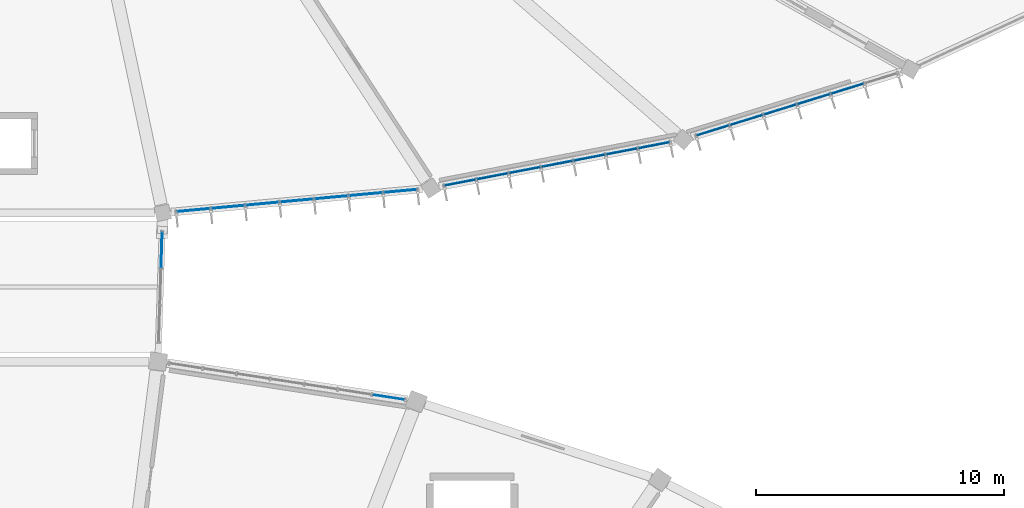
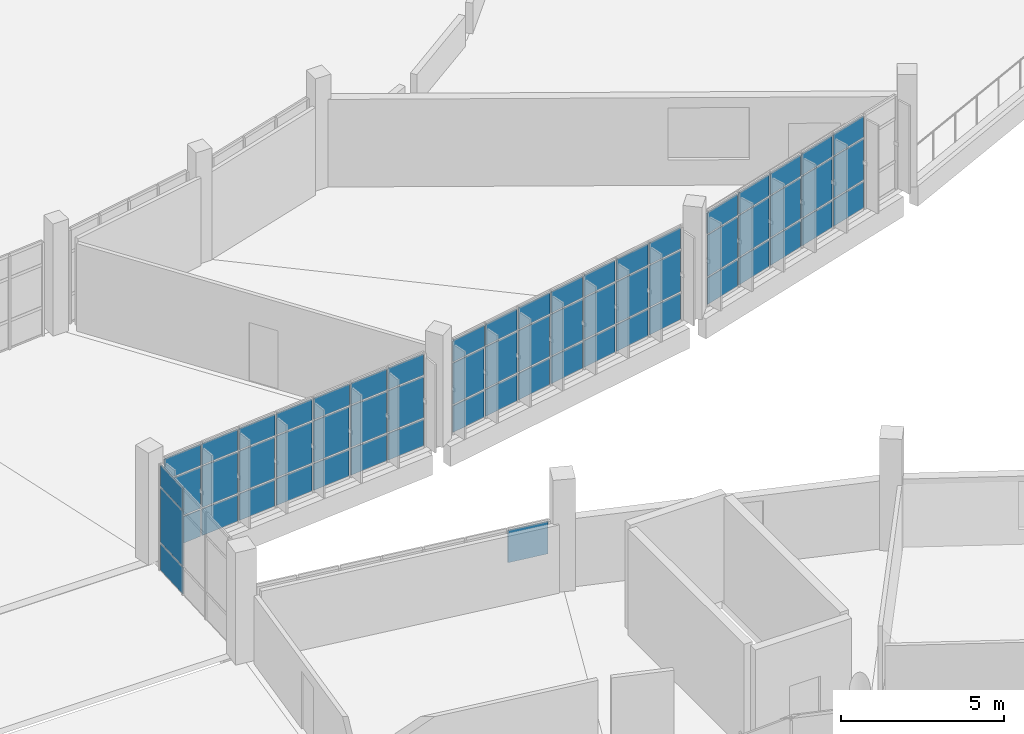
# One storey, part 83 of 142: 61 plates, 5 elements without a shape of their own.
"""IFC4 building model written with IfcOpenShell, lengths in metres."""

from ifc_helpers import new_model, si_unit, direction, frame, origin, origin_2d, place, context, subcontext, project, spatial, rectangle, extrude, material, layer, layer_set, type_object, element, aggregate, save


model = new_model("IFC4")

# Units and contexts
model_context = context("Model", 3, precision=1e-05, world=origin(), true_north=direction((0.0, 1.0)))
body_context = subcontext(model_context, "Body", "Model", "MODEL_VIEW")
ifc_project = project(units=[si_unit("LENGTHUNIT", "METRE"), si_unit("AREAUNIT", "SQUARE_METRE"), si_unit("VOLUMEUNIT", "CUBIC_METRE"), si_unit("PLANEANGLEUNIT", "RADIAN"), si_unit("MASSUNIT", "GRAM", prefix="KILO")], contexts=[model_context])

# Site, building, storey
site_placement = place(None, origin())
site = spatial("IfcSite", under=ifc_project, at=site_placement, CompositionType="ELEMENT")
building_placement = place(site_placement, origin())
building = spatial("IfcBuilding", under=site, at=building_placement, Name="Corvandel Quay Wholesale Market", CompositionType="ELEMENT")
storey_placement = place(building_placement, frame((0.0, 0.0, 10.800048828125)))
storey = spatial("IfcBuildingStorey", under=building, at=storey_placement, Name="L02", CompositionType="ELEMENT", Elevation=10.800048828125)

# Curtain wall, plates
ifc_material_1 = material(Name="Bronze anodised aluminium and low-E insulated glazing", Category="aluminium")
ifc_layer_1 = layer(ifc_material_1, 0.174072265625)
ifc_layer_set_1 = layer_set([ifc_layer_1], Name="Bronze anodised aluminium and low-E insulated glazing")
curtain_wall_type_1 = type_object("IfcCurtainWallType", Name="Stick Curtain Wall System CW07 H3630", PredefinedType="NOTDEFINED", material=ifc_layer_set_1)
curtain_wall_1_placement = place(storey_placement, origin())
curtain_wall_1 = element("IfcCurtainWall", 1, at=curtain_wall_1_placement, inside=storey, type_object=curtain_wall_type_1, Name="Curtain Wall CW-0117", PredefinedType="NOTDEFINED")
ifc_material_2 = material(Name="Solar-control low-E insulated glazing", Category="glass")
ifc_layer_2 = layer(ifc_material_2, 0.0400390625)
ifc_layer_set_2 = layer_set([ifc_layer_2], Name="Solar-control low-E insulated glazing")
plate_type_1 = type_object("IfcPlateType", Name="Ceramic Fritted Spandrel Panel PN03 40mm", PredefinedType="CURTAIN_PANEL", material=ifc_layer_set_2)
plate_1_placement = place(storey_placement, frame((120.749755859375, 90.114013671875, 2.679931640625), z_axis=(0.0, 0.0, 1.0), x_axis=(0.995756880939, 0.092023008338, 0.0)))
plate_1 = element("IfcPlate", 2, at=plate_1_placement, type_object=plate_type_1, Name="Glazing Panel CW-0117-P00-2", PredefinedType="CURTAIN_PANEL", context=body_context, shape_type="SweptSolid", body=[
    extrude(rectangle(XDim=1.3330078125, YDim=0.0400390625, at=origin_2d()), origin(), (0.0, 0.0, 1.0), 0.7900390625),
])
plate_2_placement = place(storey_placement, frame((122.1416015625, 90.242431640625, 2.679931640625), z_axis=(0.0, 0.0, 1.0), x_axis=(0.995756880939, 0.092023008338, 0.0)))
plate_2 = element("IfcPlate", 3, at=plate_2_placement, type_object=plate_type_1, Name="Glazing Panel CW-0117-P01-2", PredefinedType="CURTAIN_PANEL", context=body_context, shape_type="SweptSolid", body=[
    extrude(rectangle(XDim=1.3330078125, YDim=0.0400390625, at=origin_2d()), origin(), (0.0, 0.0, 1.0), 0.7900390625),
])
plate_3_placement = place(storey_placement, frame((123.53369140625, 90.37109375, 2.679931640625), z_axis=(0.0, 0.0, 1.0), x_axis=(0.995756880939, 0.092023008338, 0.0)))
plate_3 = element("IfcPlate", 4, at=plate_3_placement, type_object=plate_type_1, Name="Glazing Panel CW-0117-P02-2", PredefinedType="CURTAIN_PANEL", context=body_context, shape_type="SweptSolid", body=[
    extrude(rectangle(XDim=1.3330078125, YDim=0.0400390625, at=origin_2d()), origin(), (0.0, 0.0, 1.0), 0.7900390625),
])
plate_4_placement = place(storey_placement, frame((124.925537109375, 90.49951171875, 2.679931640625), z_axis=(0.0, 0.0, 1.0), x_axis=(0.995756880939, 0.092023008338, 0.0)))
plate_4 = element("IfcPlate", 5, at=plate_4_placement, type_object=plate_type_1, Name="Glazing Panel CW-0117-P03-2", PredefinedType="CURTAIN_PANEL", context=body_context, shape_type="SweptSolid", body=[
    extrude(rectangle(XDim=1.3330078125, YDim=0.0400390625, at=origin_2d()), origin(), (0.0, 0.0, 1.0), 0.7900390625),
])
plate_5_placement = place(storey_placement, frame((126.3173828125, 90.6279296875, 2.679931640625), z_axis=(0.0, 0.0, 1.0), x_axis=(0.995756880939, 0.092023008338, 0.0)))
plate_5 = element("IfcPlate", 6, at=plate_5_placement, type_object=plate_type_1, Name="Glazing Panel CW-0117-P04-2", PredefinedType="CURTAIN_PANEL", context=body_context, shape_type="SweptSolid", body=[
    extrude(rectangle(XDim=1.3330078125, YDim=0.0400390625, at=origin_2d()), origin(), (0.0, 0.0, 1.0), 0.7900390625),
])
plate_6_placement = place(storey_placement, frame((127.70947265625, 90.756591796875, 2.679931640625), z_axis=(0.0, 0.0, 1.0), x_axis=(0.995756880939, 0.092023008338, 0.0)))
plate_6 = element("IfcPlate", 7, at=plate_6_placement, type_object=plate_type_1, Name="Glazing Panel CW-0117-P05-2", PredefinedType="CURTAIN_PANEL", context=body_context, shape_type="SweptSolid", body=[
    extrude(rectangle(XDim=1.3330078125, YDim=0.0400390625, at=origin_2d()), origin(), (0.0, 0.0, 1.0), 0.7900390625),
])
plate_7_placement = place(storey_placement, frame((129.101318359375, 90.885009765625, 2.679931640625), z_axis=(0.0, 0.0, 1.0), x_axis=(0.995756880939, 0.092023008338, 0.0)))
plate_7 = element("IfcPlate", 8, at=plate_7_placement, type_object=plate_type_1, Name="Glazing Panel CW-0117-P06-2", PredefinedType="CURTAIN_PANEL", context=body_context, shape_type="SweptSolid", body=[
    extrude(rectangle(XDim=1.3330078125, YDim=0.0400390625, at=origin_2d()), origin(), (0.0, 0.0, 1.0), 0.7900390625),
])

ifc_layer_3 = layer(ifc_material_1, 0.18603515625)
ifc_layer_set_3 = layer_set([ifc_layer_3], Name="Bronze anodised aluminium and low-E insulated glazing")
curtain_wall_type_2 = type_object("IfcCurtainWallType", Name="Stick Curtain Wall System CW08 H3720", PredefinedType="NOTDEFINED", material=ifc_layer_set_3)
curtain_wall_2_placement = place(storey_placement, origin())
curtain_wall_2 = element("IfcCurtainWall", 9, at=curtain_wall_2_placement, inside=storey, type_object=curtain_wall_type_2, Name="Curtain Wall CW-0120", PredefinedType="NOTDEFINED")
plate_8_placement = place(storey_placement, frame((131.517578125, 91.226318359375, 2.679931640625), z_axis=(0.0, 0.0, 1.0), x_axis=(0.981991701121, 0.188924055984, 0.0)))
plate_8 = element("IfcPlate", 10, at=plate_8_placement, type_object=plate_type_1, Name="Glazing Panel CW-0120-P00-2", PredefinedType="CURTAIN_PANEL", context=body_context, shape_type="SweptSolid", body=[
    extrude(rectangle(XDim=1.26318359375, YDim=0.0400390625, at=origin_2d()), origin(), (0.0, 0.0, 1.0), 0.7900390625),
])
plate_9_placement = place(storey_placement, frame((132.82177734375, 91.477294921875, 2.679931640625), z_axis=(0.0, 0.0, 1.0), x_axis=(0.981991701121, 0.188924055984, 0.0)))
plate_9 = element("IfcPlate", 11, at=plate_9_placement, type_object=plate_type_1, Name="Glazing Panel CW-0120-P01-2", PredefinedType="CURTAIN_PANEL", context=body_context, shape_type="SweptSolid", body=[
    extrude(rectangle(XDim=1.26318359375, YDim=0.0400390625, at=origin_2d()), origin(), (0.0, 0.0, 1.0), 0.7900390625),
])
plate_10_placement = place(storey_placement, frame((134.126220703125, 91.72802734375, 2.679931640625), z_axis=(0.0, 0.0, 1.0), x_axis=(0.981991701121, 0.188924055984, 0.0)))
plate_10 = element("IfcPlate", 12, at=plate_10_placement, type_object=plate_type_1, Name="Glazing Panel CW-0120-P02-2", PredefinedType="CURTAIN_PANEL", context=body_context, shape_type="SweptSolid", body=[
    extrude(rectangle(XDim=1.26318359375, YDim=0.0400390625, at=origin_2d()), origin(), (0.0, 0.0, 1.0), 0.7900390625),
])
plate_11_placement = place(storey_placement, frame((135.430419921875, 91.97900390625, 2.679931640625), z_axis=(0.0, 0.0, 1.0), x_axis=(0.981991701121, 0.188924055984, 0.0)))
plate_11 = element("IfcPlate", 13, at=plate_11_placement, type_object=plate_type_1, Name="Glazing Panel CW-0120-P03-2", PredefinedType="CURTAIN_PANEL", context=body_context, shape_type="SweptSolid", body=[
    extrude(rectangle(XDim=1.26318359375, YDim=0.0400390625, at=origin_2d()), origin(), (0.0, 0.0, 1.0), 0.7900390625),
])
plate_12_placement = place(storey_placement, frame((136.73486328125, 92.22998046875, 2.679931640625), z_axis=(0.0, 0.0, 1.0), x_axis=(0.981991701121, 0.188924055984, 0.0)))
plate_12 = element("IfcPlate", 14, at=plate_12_placement, type_object=plate_type_1, Name="Glazing Panel CW-0120-P04-2", PredefinedType="CURTAIN_PANEL", context=body_context, shape_type="SweptSolid", body=[
    extrude(rectangle(XDim=1.26318359375, YDim=0.0400390625, at=origin_2d()), origin(), (0.0, 0.0, 1.0), 0.7900390625),
])
plate_13_placement = place(storey_placement, frame((138.039306640625, 92.480712890625, 2.679931640625), z_axis=(0.0, 0.0, 1.0), x_axis=(0.981991701121, 0.188924055984, 0.0)))
plate_13 = element("IfcPlate", 15, at=plate_13_placement, type_object=plate_type_1, Name="Glazing Panel CW-0120-P05-2", PredefinedType="CURTAIN_PANEL", context=body_context, shape_type="SweptSolid", body=[
    extrude(rectangle(XDim=1.26318359375, YDim=0.0400390625, at=origin_2d()), origin(), (0.0, 0.0, 1.0), 0.7900390625),
])
plate_14_placement = place(storey_placement, frame((139.343505859375, 92.731689453125, 2.679931640625), z_axis=(0.0, 0.0, 1.0), x_axis=(0.981991701121, 0.188924055984, 0.0)))
plate_14 = element("IfcPlate", 16, at=plate_14_placement, type_object=plate_type_1, Name="Glazing Panel CW-0120-P06-2", PredefinedType="CURTAIN_PANEL", context=body_context, shape_type="SweptSolid", body=[
    extrude(rectangle(XDim=1.26318359375, YDim=0.0400390625, at=origin_2d()), origin(), (0.0, 0.0, 1.0), 0.7900390625),
])

ifc_layer_4 = layer(ifc_material_1, 0.197998046875)
ifc_layer_set_4 = layer_set([ifc_layer_4], Name="Bronze anodised aluminium and low-E insulated glazing")
curtain_wall_type_3 = type_object("IfcCurtainWallType", Name="Stick Curtain Wall System CW09 H3810", PredefinedType="NOTDEFINED", material=ifc_layer_set_4)
curtain_wall_3_placement = place(storey_placement, origin())
curtain_wall_3 = element("IfcCurtainWall", 17, at=curtain_wall_3_placement, inside=storey, type_object=curtain_wall_type_3, Name="Curtain Wall CW-0123", PredefinedType="NOTDEFINED")
plate_15_placement = place(storey_placement, frame((141.72021484375, 93.329345703125, 2.679931640625), z_axis=(0.0, 0.0, 1.0), x_axis=(0.955123398809, 0.296208192067, 0.0)))
plate_15 = element("IfcPlate", 18, at=plate_15_placement, type_object=plate_type_1, Name="Glazing Panel CW-0123-P00-2", PredefinedType="CURTAIN_PANEL", context=body_context, shape_type="SweptSolid", body=[
    extrude(rectangle(XDim=1.35546875, YDim=0.0400390625, at=origin_2d()), origin(), (0.0, 0.0, 1.0), 0.7900390625),
])
plate_16_placement = place(storey_placement, frame((143.076904296875, 93.750244140625, 2.679931640625), z_axis=(0.0, 0.0, 1.0), x_axis=(0.955123398809, 0.296208192067, 0.0)))
plate_16 = element("IfcPlate", 19, at=plate_16_placement, type_object=plate_type_1, Name="Glazing Panel CW-0123-P01-2", PredefinedType="CURTAIN_PANEL", context=body_context, shape_type="SweptSolid", body=[
    extrude(rectangle(XDim=1.35546875, YDim=0.0400390625, at=origin_2d()), origin(), (0.0, 0.0, 1.0), 0.7900390625),
])
plate_17_placement = place(storey_placement, frame((144.43359375, 94.171142578125, 2.679931640625), z_axis=(0.0, 0.0, 1.0), x_axis=(0.955123398809, 0.296208192067, 0.0)))
plate_17 = element("IfcPlate", 20, at=plate_17_placement, type_object=plate_type_1, Name="Glazing Panel CW-0123-P02-2", PredefinedType="CURTAIN_PANEL", context=body_context, shape_type="SweptSolid", body=[
    extrude(rectangle(XDim=1.35546875, YDim=0.0400390625, at=origin_2d()), origin(), (0.0, 0.0, 1.0), 0.7900390625),
])
plate_18_placement = place(storey_placement, frame((145.790283203125, 94.591796875, 2.679931640625), z_axis=(0.0, 0.0, 1.0), x_axis=(0.955123398809, 0.296208192067, 0.0)))
plate_18 = element("IfcPlate", 21, at=plate_18_placement, type_object=plate_type_1, Name="Glazing Panel CW-0123-P03-2", PredefinedType="CURTAIN_PANEL", context=body_context, shape_type="SweptSolid", body=[
    extrude(rectangle(XDim=1.35546875, YDim=0.0400390625, at=origin_2d()), origin(), (0.0, 0.0, 1.0), 0.7900390625),
])
plate_19_placement = place(storey_placement, frame((147.147216796875, 95.0126953125, 2.679931640625), z_axis=(0.0, 0.0, 1.0), x_axis=(0.955123398809, 0.296208192067, 0.0)))
plate_19 = element("IfcPlate", 22, at=plate_19_placement, type_object=plate_type_1, Name="Glazing Panel CW-0123-P04-2", PredefinedType="CURTAIN_PANEL", context=body_context, shape_type="SweptSolid", body=[
    extrude(rectangle(XDim=1.35546875, YDim=0.0400390625, at=origin_2d()), origin(), (0.0, 0.0, 1.0), 0.7900390625),
])

# Curtain wall, plate
ifc_layer_5 = layer(ifc_material_1, 0.197998046875)
ifc_layer_set_5 = layer_set([ifc_layer_5], Name="Bronze anodised aluminium and low-E insulated glazing")
curtain_wall_type_4 = type_object("IfcCurtainWallType", Name="Stick Curtain Wall System CW24 H5160", PredefinedType="NOTDEFINED", material=ifc_layer_set_5)
curtain_wall_4_placement = place(storey_placement, origin())
curtain_wall_4 = element("IfcCurtainWall", 23, at=curtain_wall_4_placement, inside=storey, type_object=curtain_wall_type_4, Name="Curtain Wall CW-0171", PredefinedType="NOTDEFINED")
plate_20_placement = place(storey_placement, frame((119.467041015625, 88.510986328125, 3.1474609375), z_axis=(0.0, 0.0, 1.0), x_axis=(0.032806302436, 0.999461728392, 0.0)))
plate_20 = element("IfcPlate", 24, at=plate_20_placement, type_object=plate_type_1, Name="Glazing Panel CW-0171-P02-2", PredefinedType="CURTAIN_PANEL", context=body_context, shape_type="SweptSolid", body=[
    extrude(rectangle(XDim=1.439453125, YDim=0.0400390625, at=origin_2d()), origin(), (0.0, 0.0, 1.0), 0.794921875),
])

ifc_layer_6 = layer(ifc_material_1, 0.14990234375)
ifc_layer_set_6 = layer_set([ifc_layer_6], Name="Bronze anodised aluminium and low-E insulated glazing")
curtain_wall_type_5 = type_object("IfcCurtainWallType", Name="Stick Curtain Wall System CW15 H4350", PredefinedType="NOTDEFINED", material=ifc_layer_set_6)
curtain_wall_5_placement = place(storey_placement, origin())
curtain_wall_5 = element("IfcCurtainWall", 25, at=curtain_wall_5_placement, inside=storey, type_object=curtain_wall_type_5, Name="Curtain Wall CW-0019", PredefinedType="NOTDEFINED")
ifc_layer_7 = layer(ifc_material_2, 0.028076171875)
ifc_layer_set_7 = layer_set([ifc_layer_7], Name="Solar-control low-E insulated glazing")
plate_type_2 = type_object("IfcPlateType", Name="Double Low-E Vision Panel PN01 28mm", PredefinedType="CURTAIN_PANEL", material=ifc_layer_set_7)
plate_21_placement = place(storey_placement, frame((128.624755859375, 82.560302734375, 1.3046875), z_axis=(0.0, 0.0, 1.0), x_axis=(-0.98825506746, 0.152813355565, 0.0)))
plate_21 = element("IfcPlate", 26, at=plate_21_placement, type_object=plate_type_2, Name="Glazing Panel CW-0019-P00-1", PredefinedType="CURTAIN_PANEL", context=body_context, shape_type="SweptSolid", body=[
    extrude(rectangle(XDim=1.314453125, YDim=0.028076171875, at=origin_2d()), origin(), (0.0, 0.0, 1.0), 1.215087890625),
])
aggregate(curtain_wall_5, [plate_21])

# Plate
plate_22_placement = place(storey_placement, frame((120.749755859375, 90.114013671875, 0.02978515625), z_axis=(0.0, 0.0, 1.0), x_axis=(0.995756880939, 0.092023008338, 0.0)))
plate_22 = element("IfcPlate", 27, at=plate_22_placement, type_object=plate_type_2, Name="Glazing Panel CW-0117-P00-0", PredefinedType="CURTAIN_PANEL", context=body_context, shape_type="SweptSolid", body=[
    extrude(rectangle(XDim=1.3330078125, YDim=0.028076171875, at=origin_2d()), origin(), (0.0, 0.0, 1.0), 0.989990234375),
])

plate_23_placement = place(storey_placement, frame((120.749755859375, 90.114013671875, 1.079833984375), z_axis=(0.0, 0.0, 1.0), x_axis=(0.995756880939, 0.092023008338, 0.0)))
plate_23 = element("IfcPlate", 28, at=plate_23_placement, type_object=plate_type_2, Name="Glazing Panel CW-0117-P00-1", PredefinedType="CURTAIN_PANEL", context=body_context, shape_type="SweptSolid", body=[
    extrude(rectangle(XDim=1.3330078125, YDim=0.028076171875, at=origin_2d()), origin(), (0.0, 0.0, 1.0), 1.5400390625),
])

plate_24_placement = place(storey_placement, frame((122.1416015625, 90.242431640625, 0.02978515625), z_axis=(0.0, 0.0, 1.0), x_axis=(0.995756880939, 0.092023008338, 0.0)))
plate_24 = element("IfcPlate", 29, at=plate_24_placement, type_object=plate_type_2, Name="Glazing Panel CW-0117-P01-0", PredefinedType="CURTAIN_PANEL", context=body_context, shape_type="SweptSolid", body=[
    extrude(rectangle(XDim=1.3330078125, YDim=0.028076171875, at=origin_2d()), origin(), (0.0, 0.0, 1.0), 0.989990234375),
])

plate_25_placement = place(storey_placement, frame((122.1416015625, 90.242431640625, 1.079833984375), z_axis=(0.0, 0.0, 1.0), x_axis=(0.995756880939, 0.092023008338, 0.0)))
plate_25 = element("IfcPlate", 30, at=plate_25_placement, type_object=plate_type_2, Name="Glazing Panel CW-0117-P01-1", PredefinedType="CURTAIN_PANEL", context=body_context, shape_type="SweptSolid", body=[
    extrude(rectangle(XDim=1.3330078125, YDim=0.028076171875, at=origin_2d()), origin(), (0.0, 0.0, 1.0), 1.5400390625),
])

plate_26_placement = place(storey_placement, frame((123.53369140625, 90.37109375, 0.02978515625), z_axis=(0.0, 0.0, 1.0), x_axis=(0.995756880939, 0.092023008338, 0.0)))
plate_26 = element("IfcPlate", 31, at=plate_26_placement, type_object=plate_type_2, Name="Glazing Panel CW-0117-P02-0", PredefinedType="CURTAIN_PANEL", context=body_context, shape_type="SweptSolid", body=[
    extrude(rectangle(XDim=1.3330078125, YDim=0.028076171875, at=origin_2d()), origin(), (0.0, 0.0, 1.0), 0.989990234375),
])

plate_27_placement = place(storey_placement, frame((123.53369140625, 90.37109375, 1.079833984375), z_axis=(0.0, 0.0, 1.0), x_axis=(0.995756880939, 0.092023008338, 0.0)))
plate_27 = element("IfcPlate", 32, at=plate_27_placement, type_object=plate_type_2, Name="Glazing Panel CW-0117-P02-1", PredefinedType="CURTAIN_PANEL", context=body_context, shape_type="SweptSolid", body=[
    extrude(rectangle(XDim=1.3330078125, YDim=0.028076171875, at=origin_2d()), origin(), (0.0, 0.0, 1.0), 1.5400390625),
])

plate_28_placement = place(storey_placement, frame((124.925537109375, 90.49951171875, 0.02978515625), z_axis=(0.0, 0.0, 1.0), x_axis=(0.995756880939, 0.092023008338, 0.0)))
plate_28 = element("IfcPlate", 33, at=plate_28_placement, type_object=plate_type_2, Name="Glazing Panel CW-0117-P03-0", PredefinedType="CURTAIN_PANEL", context=body_context, shape_type="SweptSolid", body=[
    extrude(rectangle(XDim=1.3330078125, YDim=0.028076171875, at=origin_2d()), origin(), (0.0, 0.0, 1.0), 0.989990234375),
])

plate_29_placement = place(storey_placement, frame((124.925537109375, 90.49951171875, 1.079833984375), z_axis=(0.0, 0.0, 1.0), x_axis=(0.995756880939, 0.092023008338, 0.0)))
plate_29 = element("IfcPlate", 34, at=plate_29_placement, type_object=plate_type_2, Name="Glazing Panel CW-0117-P03-1", PredefinedType="CURTAIN_PANEL", context=body_context, shape_type="SweptSolid", body=[
    extrude(rectangle(XDim=1.3330078125, YDim=0.028076171875, at=origin_2d()), origin(), (0.0, 0.0, 1.0), 1.5400390625),
])

plate_30_placement = place(storey_placement, frame((126.3173828125, 90.6279296875, 0.02978515625), z_axis=(0.0, 0.0, 1.0), x_axis=(0.995756880939, 0.092023008338, 0.0)))
plate_30 = element("IfcPlate", 35, at=plate_30_placement, type_object=plate_type_2, Name="Glazing Panel CW-0117-P04-0", PredefinedType="CURTAIN_PANEL", context=body_context, shape_type="SweptSolid", body=[
    extrude(rectangle(XDim=1.3330078125, YDim=0.028076171875, at=origin_2d()), origin(), (0.0, 0.0, 1.0), 0.989990234375),
])

plate_31_placement = place(storey_placement, frame((126.3173828125, 90.6279296875, 1.079833984375), z_axis=(0.0, 0.0, 1.0), x_axis=(0.995756880939, 0.092023008338, 0.0)))
plate_31 = element("IfcPlate", 36, at=plate_31_placement, type_object=plate_type_2, Name="Glazing Panel CW-0117-P04-1", PredefinedType="CURTAIN_PANEL", context=body_context, shape_type="SweptSolid", body=[
    extrude(rectangle(XDim=1.3330078125, YDim=0.028076171875, at=origin_2d()), origin(), (0.0, 0.0, 1.0), 1.5400390625),
])

plate_32_placement = place(storey_placement, frame((127.70947265625, 90.756591796875, 0.02978515625), z_axis=(0.0, 0.0, 1.0), x_axis=(0.995756880939, 0.092023008338, 0.0)))
plate_32 = element("IfcPlate", 37, at=plate_32_placement, type_object=plate_type_2, Name="Glazing Panel CW-0117-P05-0", PredefinedType="CURTAIN_PANEL", context=body_context, shape_type="SweptSolid", body=[
    extrude(rectangle(XDim=1.3330078125, YDim=0.028076171875, at=origin_2d()), origin(), (0.0, 0.0, 1.0), 0.989990234375),
])

plate_33_placement = place(storey_placement, frame((127.70947265625, 90.756591796875, 1.079833984375), z_axis=(0.0, 0.0, 1.0), x_axis=(0.995756880939, 0.092023008338, 0.0)))
plate_33 = element("IfcPlate", 38, at=plate_33_placement, type_object=plate_type_2, Name="Glazing Panel CW-0117-P05-1", PredefinedType="CURTAIN_PANEL", context=body_context, shape_type="SweptSolid", body=[
    extrude(rectangle(XDim=1.3330078125, YDim=0.028076171875, at=origin_2d()), origin(), (0.0, 0.0, 1.0), 1.5400390625),
])

plate_34_placement = place(storey_placement, frame((129.101318359375, 90.885009765625, 0.02978515625), z_axis=(0.0, 0.0, 1.0), x_axis=(0.995756880939, 0.092023008338, 0.0)))
plate_34 = element("IfcPlate", 39, at=plate_34_placement, type_object=plate_type_2, Name="Glazing Panel CW-0117-P06-0", PredefinedType="CURTAIN_PANEL", context=body_context, shape_type="SweptSolid", body=[
    extrude(rectangle(XDim=1.3330078125, YDim=0.028076171875, at=origin_2d()), origin(), (0.0, 0.0, 1.0), 0.989990234375),
])

plate_35_placement = place(storey_placement, frame((129.101318359375, 90.885009765625, 1.079833984375), z_axis=(0.0, 0.0, 1.0), x_axis=(0.995756880939, 0.092023008338, 0.0)))
plate_35 = element("IfcPlate", 40, at=plate_35_placement, type_object=plate_type_2, Name="Glazing Panel CW-0117-P06-1", PredefinedType="CURTAIN_PANEL", context=body_context, shape_type="SweptSolid", body=[
    extrude(rectangle(XDim=1.3330078125, YDim=0.028076171875, at=origin_2d()), origin(), (0.0, 0.0, 1.0), 1.5400390625),
])

aggregate(curtain_wall_1, [plate_22, plate_23, plate_1, plate_24, plate_25, plate_2, plate_26, plate_27, plate_3, plate_28, plate_29, plate_4, plate_30, plate_31, plate_5, plate_32, plate_33, plate_6, plate_34, plate_35, plate_7])

plate_36_placement = place(storey_placement, frame((131.517578125, 91.226318359375, 0.02978515625), z_axis=(0.0, 0.0, 1.0), x_axis=(0.981991701121, 0.188924055984, 0.0)))
plate_36 = element("IfcPlate", 41, at=plate_36_placement, type_object=plate_type_2, Name="Glazing Panel CW-0120-P00-0", PredefinedType="CURTAIN_PANEL", context=body_context, shape_type="SweptSolid", body=[
    extrude(rectangle(XDim=1.26318359375, YDim=0.028076171875, at=origin_2d()), origin(), (0.0, 0.0, 1.0), 0.989990234375),
])

plate_37_placement = place(storey_placement, frame((131.517578125, 91.226318359375, 1.079833984375), z_axis=(0.0, 0.0, 1.0), x_axis=(0.981991701121, 0.188924055984, 0.0)))
plate_37 = element("IfcPlate", 42, at=plate_37_placement, type_object=plate_type_2, Name="Glazing Panel CW-0120-P00-1", PredefinedType="CURTAIN_PANEL", context=body_context, shape_type="SweptSolid", body=[
    extrude(rectangle(XDim=1.26318359375, YDim=0.028076171875, at=origin_2d()), origin(), (0.0, 0.0, 1.0), 1.5400390625),
])

plate_38_placement = place(storey_placement, frame((132.82177734375, 91.477294921875, 0.02978515625), z_axis=(0.0, 0.0, 1.0), x_axis=(0.981991701121, 0.188924055984, 0.0)))
plate_38 = element("IfcPlate", 43, at=plate_38_placement, type_object=plate_type_2, Name="Glazing Panel CW-0120-P01-0", PredefinedType="CURTAIN_PANEL", context=body_context, shape_type="SweptSolid", body=[
    extrude(rectangle(XDim=1.26318359375, YDim=0.028076171875, at=origin_2d()), origin(), (0.0, 0.0, 1.0), 0.989990234375),
])

plate_39_placement = place(storey_placement, frame((132.82177734375, 91.477294921875, 1.079833984375), z_axis=(0.0, 0.0, 1.0), x_axis=(0.981991701121, 0.188924055984, 0.0)))
plate_39 = element("IfcPlate", 44, at=plate_39_placement, type_object=plate_type_2, Name="Glazing Panel CW-0120-P01-1", PredefinedType="CURTAIN_PANEL", context=body_context, shape_type="SweptSolid", body=[
    extrude(rectangle(XDim=1.26318359375, YDim=0.028076171875, at=origin_2d()), origin(), (0.0, 0.0, 1.0), 1.5400390625),
])

plate_40_placement = place(storey_placement, frame((134.126220703125, 91.72802734375, 0.02978515625), z_axis=(0.0, 0.0, 1.0), x_axis=(0.981991701121, 0.188924055984, 0.0)))
plate_40 = element("IfcPlate", 45, at=plate_40_placement, type_object=plate_type_2, Name="Glazing Panel CW-0120-P02-0", PredefinedType="CURTAIN_PANEL", context=body_context, shape_type="SweptSolid", body=[
    extrude(rectangle(XDim=1.26318359375, YDim=0.028076171875, at=origin_2d()), origin(), (0.0, 0.0, 1.0), 0.989990234375),
])

plate_41_placement = place(storey_placement, frame((134.126220703125, 91.72802734375, 1.079833984375), z_axis=(0.0, 0.0, 1.0), x_axis=(0.981991701121, 0.188924055984, 0.0)))
plate_41 = element("IfcPlate", 46, at=plate_41_placement, type_object=plate_type_2, Name="Glazing Panel CW-0120-P02-1", PredefinedType="CURTAIN_PANEL", context=body_context, shape_type="SweptSolid", body=[
    extrude(rectangle(XDim=1.26318359375, YDim=0.028076171875, at=origin_2d()), origin(), (0.0, 0.0, 1.0), 1.5400390625),
])

plate_42_placement = place(storey_placement, frame((135.430419921875, 91.97900390625, 0.02978515625), z_axis=(0.0, 0.0, 1.0), x_axis=(0.981991701121, 0.188924055984, 0.0)))
plate_42 = element("IfcPlate", 47, at=plate_42_placement, type_object=plate_type_2, Name="Glazing Panel CW-0120-P03-0", PredefinedType="CURTAIN_PANEL", context=body_context, shape_type="SweptSolid", body=[
    extrude(rectangle(XDim=1.26318359375, YDim=0.028076171875, at=origin_2d()), origin(), (0.0, 0.0, 1.0), 0.989990234375),
])

plate_43_placement = place(storey_placement, frame((135.430419921875, 91.97900390625, 1.079833984375), z_axis=(0.0, 0.0, 1.0), x_axis=(0.981991701121, 0.188924055984, 0.0)))
plate_43 = element("IfcPlate", 48, at=plate_43_placement, type_object=plate_type_2, Name="Glazing Panel CW-0120-P03-1", PredefinedType="CURTAIN_PANEL", context=body_context, shape_type="SweptSolid", body=[
    extrude(rectangle(XDim=1.26318359375, YDim=0.028076171875, at=origin_2d()), origin(), (0.0, 0.0, 1.0), 1.5400390625),
])

plate_44_placement = place(storey_placement, frame((136.73486328125, 92.22998046875, 0.02978515625), z_axis=(0.0, 0.0, 1.0), x_axis=(0.981991701121, 0.188924055984, 0.0)))
plate_44 = element("IfcPlate", 49, at=plate_44_placement, type_object=plate_type_2, Name="Glazing Panel CW-0120-P04-0", PredefinedType="CURTAIN_PANEL", context=body_context, shape_type="SweptSolid", body=[
    extrude(rectangle(XDim=1.26318359375, YDim=0.028076171875, at=origin_2d()), origin(), (0.0, 0.0, 1.0), 0.989990234375),
])

plate_45_placement = place(storey_placement, frame((136.73486328125, 92.22998046875, 1.079833984375), z_axis=(0.0, 0.0, 1.0), x_axis=(0.981991701121, 0.188924055984, 0.0)))
plate_45 = element("IfcPlate", 50, at=plate_45_placement, type_object=plate_type_2, Name="Glazing Panel CW-0120-P04-1", PredefinedType="CURTAIN_PANEL", context=body_context, shape_type="SweptSolid", body=[
    extrude(rectangle(XDim=1.26318359375, YDim=0.028076171875, at=origin_2d()), origin(), (0.0, 0.0, 1.0), 1.5400390625),
])

plate_46_placement = place(storey_placement, frame((138.039306640625, 92.480712890625, 0.02978515625), z_axis=(0.0, 0.0, 1.0), x_axis=(0.981991701121, 0.188924055984, 0.0)))
plate_46 = element("IfcPlate", 51, at=plate_46_placement, type_object=plate_type_2, Name="Glazing Panel CW-0120-P05-0", PredefinedType="CURTAIN_PANEL", context=body_context, shape_type="SweptSolid", body=[
    extrude(rectangle(XDim=1.26318359375, YDim=0.028076171875, at=origin_2d()), origin(), (0.0, 0.0, 1.0), 0.989990234375),
])

plate_47_placement = place(storey_placement, frame((138.039306640625, 92.480712890625, 1.079833984375), z_axis=(0.0, 0.0, 1.0), x_axis=(0.981991701121, 0.188924055984, 0.0)))
plate_47 = element("IfcPlate", 52, at=plate_47_placement, type_object=plate_type_2, Name="Glazing Panel CW-0120-P05-1", PredefinedType="CURTAIN_PANEL", context=body_context, shape_type="SweptSolid", body=[
    extrude(rectangle(XDim=1.26318359375, YDim=0.028076171875, at=origin_2d()), origin(), (0.0, 0.0, 1.0), 1.5400390625),
])

plate_48_placement = place(storey_placement, frame((139.343505859375, 92.731689453125, 0.02978515625), z_axis=(0.0, 0.0, 1.0), x_axis=(0.981991701121, 0.188924055984, 0.0)))
plate_48 = element("IfcPlate", 53, at=plate_48_placement, type_object=plate_type_2, Name="Glazing Panel CW-0120-P06-0", PredefinedType="CURTAIN_PANEL", context=body_context, shape_type="SweptSolid", body=[
    extrude(rectangle(XDim=1.26318359375, YDim=0.028076171875, at=origin_2d()), origin(), (0.0, 0.0, 1.0), 0.989990234375),
])

plate_49_placement = place(storey_placement, frame((139.343505859375, 92.731689453125, 1.079833984375), z_axis=(0.0, 0.0, 1.0), x_axis=(0.981991701121, 0.188924055984, 0.0)))
plate_49 = element("IfcPlate", 54, at=plate_49_placement, type_object=plate_type_2, Name="Glazing Panel CW-0120-P06-1", PredefinedType="CURTAIN_PANEL", context=body_context, shape_type="SweptSolid", body=[
    extrude(rectangle(XDim=1.26318359375, YDim=0.028076171875, at=origin_2d()), origin(), (0.0, 0.0, 1.0), 1.5400390625),
])

aggregate(curtain_wall_2, [plate_36, plate_37, plate_8, plate_38, plate_39, plate_9, plate_40, plate_41, plate_10, plate_42, plate_43, plate_11, plate_44, plate_45, plate_12, plate_46, plate_47, plate_13, plate_48, plate_49, plate_14])

plate_50_placement = place(storey_placement, frame((141.72021484375, 93.329345703125, 0.02978515625), z_axis=(0.0, 0.0, 1.0), x_axis=(0.955123398809, 0.296208192067, 0.0)))
plate_50 = element("IfcPlate", 55, at=plate_50_placement, type_object=plate_type_2, Name="Glazing Panel CW-0123-P00-0", PredefinedType="CURTAIN_PANEL", context=body_context, shape_type="SweptSolid", body=[
    extrude(rectangle(XDim=1.35546875, YDim=0.028076171875, at=origin_2d()), origin(), (0.0, 0.0, 1.0), 0.989990234375),
])

plate_51_placement = place(storey_placement, frame((141.72021484375, 93.329345703125, 1.079833984375), z_axis=(0.0, 0.0, 1.0), x_axis=(0.955123398809, 0.296208192067, 0.0)))
plate_51 = element("IfcPlate", 56, at=plate_51_placement, type_object=plate_type_2, Name="Glazing Panel CW-0123-P00-1", PredefinedType="CURTAIN_PANEL", context=body_context, shape_type="SweptSolid", body=[
    extrude(rectangle(XDim=1.35546875, YDim=0.028076171875, at=origin_2d()), origin(), (0.0, 0.0, 1.0), 1.5400390625),
])

plate_52_placement = place(storey_placement, frame((143.076904296875, 93.750244140625, 0.02978515625), z_axis=(0.0, 0.0, 1.0), x_axis=(0.955123398809, 0.296208192067, 0.0)))
plate_52 = element("IfcPlate", 57, at=plate_52_placement, type_object=plate_type_2, Name="Glazing Panel CW-0123-P01-0", PredefinedType="CURTAIN_PANEL", context=body_context, shape_type="SweptSolid", body=[
    extrude(rectangle(XDim=1.35546875, YDim=0.028076171875, at=origin_2d()), origin(), (0.0, 0.0, 1.0), 0.989990234375),
])

plate_53_placement = place(storey_placement, frame((143.076904296875, 93.750244140625, 1.079833984375), z_axis=(0.0, 0.0, 1.0), x_axis=(0.955123398809, 0.296208192067, 0.0)))
plate_53 = element("IfcPlate", 58, at=plate_53_placement, type_object=plate_type_2, Name="Glazing Panel CW-0123-P01-1", PredefinedType="CURTAIN_PANEL", context=body_context, shape_type="SweptSolid", body=[
    extrude(rectangle(XDim=1.35546875, YDim=0.028076171875, at=origin_2d()), origin(), (0.0, 0.0, 1.0), 1.5400390625),
])

plate_54_placement = place(storey_placement, frame((144.43359375, 94.171142578125, 0.02978515625), z_axis=(0.0, 0.0, 1.0), x_axis=(0.955123398809, 0.296208192067, 0.0)))
plate_54 = element("IfcPlate", 59, at=plate_54_placement, type_object=plate_type_2, Name="Glazing Panel CW-0123-P02-0", PredefinedType="CURTAIN_PANEL", context=body_context, shape_type="SweptSolid", body=[
    extrude(rectangle(XDim=1.35546875, YDim=0.028076171875, at=origin_2d()), origin(), (0.0, 0.0, 1.0), 0.989990234375),
])

plate_55_placement = place(storey_placement, frame((144.43359375, 94.171142578125, 1.079833984375), z_axis=(0.0, 0.0, 1.0), x_axis=(0.955123398809, 0.296208192067, 0.0)))
plate_55 = element("IfcPlate", 60, at=plate_55_placement, type_object=plate_type_2, Name="Glazing Panel CW-0123-P02-1", PredefinedType="CURTAIN_PANEL", context=body_context, shape_type="SweptSolid", body=[
    extrude(rectangle(XDim=1.35546875, YDim=0.028076171875, at=origin_2d()), origin(), (0.0, 0.0, 1.0), 1.5400390625),
])

plate_56_placement = place(storey_placement, frame((145.790283203125, 94.591796875, 0.02978515625), z_axis=(0.0, 0.0, 1.0), x_axis=(0.955123398809, 0.296208192067, 0.0)))
plate_56 = element("IfcPlate", 61, at=plate_56_placement, type_object=plate_type_2, Name="Glazing Panel CW-0123-P03-0", PredefinedType="CURTAIN_PANEL", context=body_context, shape_type="SweptSolid", body=[
    extrude(rectangle(XDim=1.35546875, YDim=0.028076171875, at=origin_2d()), origin(), (0.0, 0.0, 1.0), 0.989990234375),
])

plate_57_placement = place(storey_placement, frame((145.790283203125, 94.591796875, 1.079833984375), z_axis=(0.0, 0.0, 1.0), x_axis=(0.955123398809, 0.296208192067, 0.0)))
plate_57 = element("IfcPlate", 62, at=plate_57_placement, type_object=plate_type_2, Name="Glazing Panel CW-0123-P03-1", PredefinedType="CURTAIN_PANEL", context=body_context, shape_type="SweptSolid", body=[
    extrude(rectangle(XDim=1.35546875, YDim=0.028076171875, at=origin_2d()), origin(), (0.0, 0.0, 1.0), 1.5400390625),
])

plate_58_placement = place(storey_placement, frame((147.147216796875, 95.0126953125, 0.02978515625), z_axis=(0.0, 0.0, 1.0), x_axis=(0.955123398809, 0.296208192067, 0.0)))
plate_58 = element("IfcPlate", 63, at=plate_58_placement, type_object=plate_type_2, Name="Glazing Panel CW-0123-P04-0", PredefinedType="CURTAIN_PANEL", context=body_context, shape_type="SweptSolid", body=[
    extrude(rectangle(XDim=1.35546875, YDim=0.028076171875, at=origin_2d()), origin(), (0.0, 0.0, 1.0), 0.989990234375),
])

plate_59_placement = place(storey_placement, frame((147.147216796875, 95.0126953125, 1.079833984375), z_axis=(0.0, 0.0, 1.0), x_axis=(0.955123398809, 0.296208192067, 0.0)))
plate_59 = element("IfcPlate", 64, at=plate_59_placement, type_object=plate_type_2, Name="Glazing Panel CW-0123-P04-1", PredefinedType="CURTAIN_PANEL", context=body_context, shape_type="SweptSolid", body=[
    extrude(rectangle(XDim=1.35546875, YDim=0.028076171875, at=origin_2d()), origin(), (0.0, 0.0, 1.0), 1.5400390625),
])

aggregate(curtain_wall_3, [plate_50, plate_51, plate_15, plate_52, plate_53, plate_16, plate_54, plate_55, plate_17, plate_56, plate_57, plate_18, plate_58, plate_59, plate_19])

plate_60_placement = place(storey_placement, frame((119.467041015625, 88.510986328125, -0.002685546875), z_axis=(0.0, 0.0, 1.0), x_axis=(0.032806302436, 0.999461728392, 0.0)))
plate_60 = element("IfcPlate", 65, at=plate_60_placement, type_object=plate_type_2, Name="Glazing Panel CW-0171-P02-0", PredefinedType="CURTAIN_PANEL", context=body_context, shape_type="SweptSolid", body=[
    extrude(rectangle(XDim=1.439453125, YDim=0.028076171875, at=origin_2d()), origin(), (0.0, 0.0, 1.0), 0.9951171875),
])

plate_61_placement = place(storey_placement, frame((119.467041015625, 88.510986328125, 1.047607421875), z_axis=(0.0, 0.0, 1.0), x_axis=(0.032806302436, 0.999461728392, 0.0)))
plate_61 = element("IfcPlate", 66, at=plate_61_placement, type_object=plate_type_2, Name="Glazing Panel CW-0171-P02-1", PredefinedType="CURTAIN_PANEL", context=body_context, shape_type="SweptSolid", body=[
    extrude(rectangle(XDim=1.439453125, YDim=0.028076171875, at=origin_2d()), origin(), (0.0, 0.0, 1.0), 2.044921875),
])

aggregate(curtain_wall_4, [plate_60, plate_61, plate_20])

save(model, "model.ifc")
